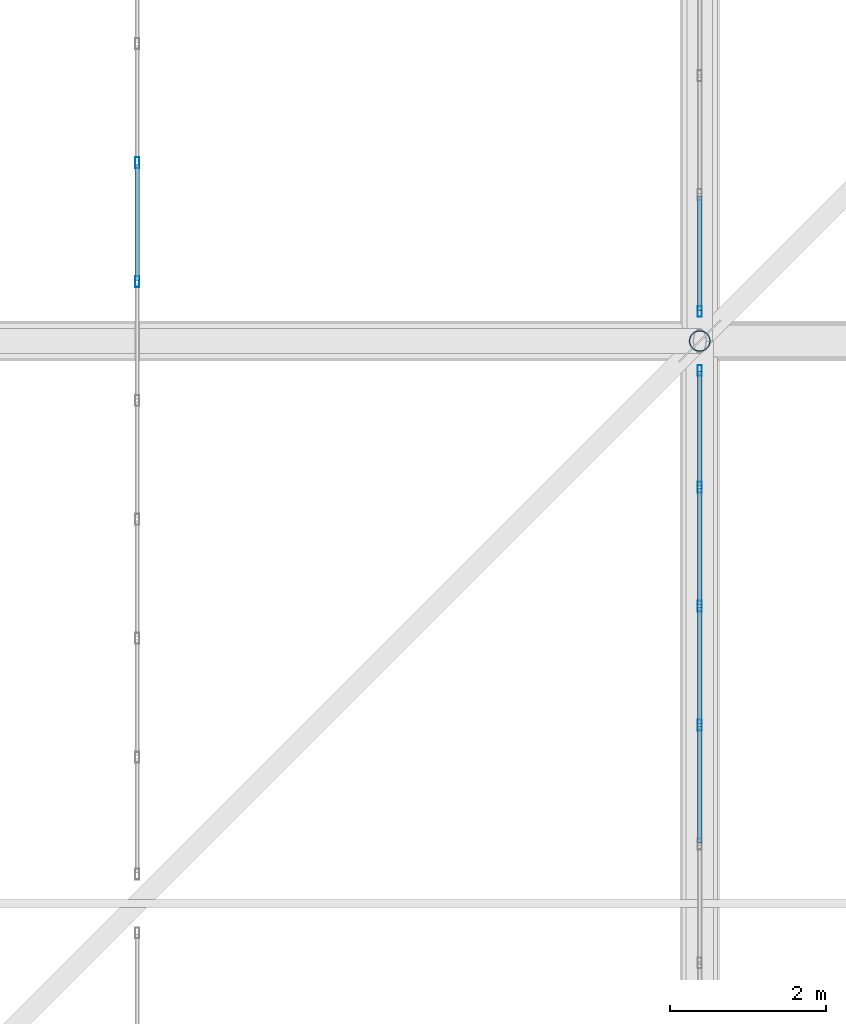
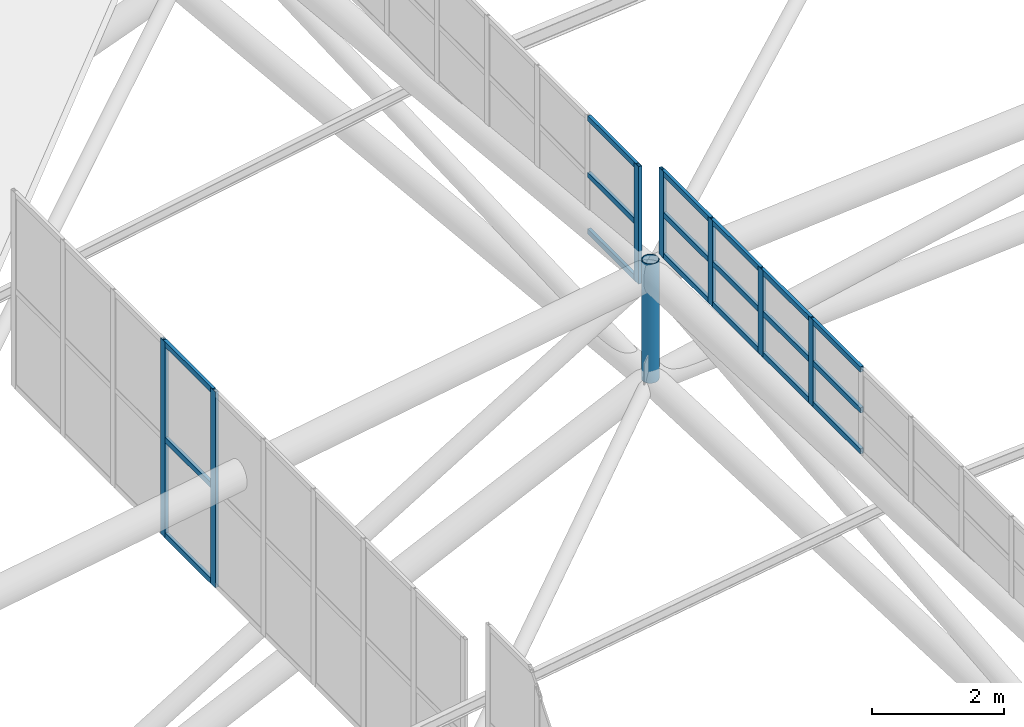
# One storey, part 198 of 397: 26 members, 3 elements without a shape of their own.
"""IFC4 building model written with IfcOpenShell, lengths in metres."""

from ifc_helpers import new_model, si_unit, direction, frame, origin, origin_2d, place, context, subcontext, project, spatial, hollow_rectangle, hollow_circle, extrude, material, material_profile, profile_set, type_object, element, aggregate, save


model = new_model("IFC4")

# Units and contexts
model_context = context("Model", 3, precision=1e-05, world=origin(), true_north=direction((0.0, 1.0)))
body_context = subcontext(model_context, "Body", "Model", "MODEL_VIEW")
ifc_project = project(units=[si_unit("LENGTHUNIT", "METRE"), si_unit("AREAUNIT", "SQUARE_METRE"), si_unit("VOLUMEUNIT", "CUBIC_METRE"), si_unit("PLANEANGLEUNIT", "RADIAN"), si_unit("MASSUNIT", "GRAM", prefix="KILO")], contexts=[model_context])

# Site, building, storey
site_placement = place(None, origin())
site = spatial("IfcSite", under=ifc_project, at=site_placement, CompositionType="ELEMENT")
building_placement = place(site_placement, origin())
building = spatial("IfcBuilding", under=site, at=building_placement, Name="Qandorah Velis Arena", CompositionType="ELEMENT")
storey_placement = place(building_placement, frame((0.0, 0.0, 27.5)))
storey = spatial("IfcBuildingStorey", under=building, at=storey_placement, Name="RF", CompositionType="ELEMENT", Elevation=27.5)

# Curtain wall, members
ifc_material_1 = material(Name="Solar-control low-E double glazing", Category="glass")
curtain_wall_type_1 = type_object("IfcCurtainWallType", Name="ARC-CW-SYS11", PredefinedType="USERDEFINED", material=ifc_material_1)
curtain_wall_1_placement = place(storey_placement, origin())
curtain_wall_1 = element("IfcCurtainWall", 1, at=curtain_wall_1_placement, inside=storey, type_object=curtain_wall_type_1, Name="Unitised curtain wall MON-1-5", ObjectType="UNITISED CURTAIN WALL", PredefinedType="USERDEFINED")
ifc_material_2 = material(Name="Champagne-bronze anodized aluminium 6063-T6", Category="aluminium")
ifc_material_profile_1 = material_profile(ifc_material_2, hollow_rectangle(XDim=0.054931640625, YDim=0.139892578125, WallThickness=0.0029296875, at=origin_2d()), Name="ALU MULLION 55x140")
ifc_profile_set_1 = profile_set([ifc_material_profile_1], Name="Champagne-bronze anodized aluminium 6063-T6")
member_type_1 = type_object("IfcMemberType", Name="ARC-CWM-140", PredefinedType="MULLION", material=ifc_profile_set_1)
member_1_placement = place(storey_placement, frame((21.60009765625, 87.1611328125, 5.13427734375), z_axis=(0.0, 0.0, 1.0), x_axis=(-1.0, 0.0, 0.0)))
member_1 = element("IfcMember", 2, at=member_1_placement, type_object=member_type_1, Name="CW11 mullion 6", PredefinedType="MULLION", context=body_context, shape_type="SweptSolid", body=[
    extrude(hollow_rectangle(XDim=0.054931640625, YDim=0.139892578125, WallThickness=0.0029296875, at=origin_2d()), origin(), (0.0, 0.0, 1.0), 3.630126953125),
])
member_2_placement = place(storey_placement, frame((21.60009765625, 88.683349609375, 5.13427734375), z_axis=(0.0, 0.0, 1.0), x_axis=(-1.0, 0.0, 0.0)))
member_2 = element("IfcMember", 3, at=member_2_placement, type_object=member_type_1, Name="CW11 mullion 7", PredefinedType="MULLION", context=body_context, shape_type="SweptSolid", body=[
    extrude(hollow_rectangle(XDim=0.054931640625, YDim=0.139892578125, WallThickness=0.0029296875, at=origin_2d()), origin(), (0.0, 0.0, 1.0), 3.630126953125),
])

curtain_wall_type_2 = type_object("IfcCurtainWallType", Name="ARC-CW-SYS09", PredefinedType="USERDEFINED", material=ifc_material_1)
curtain_wall_2_placement = place(storey_placement, origin())
curtain_wall_2 = element("IfcCurtainWall", 4, at=curtain_wall_2_placement, inside=storey, type_object=curtain_wall_type_2, Name="Unitised curtain wall OCULUS-1-4", ObjectType="UNITISED CURTAIN WALL", PredefinedType="USERDEFINED")
member_3_placement = place(storey_placement, frame((28.800048828125, 81.4833984375, 9.41259765625), z_axis=(0.0, 0.0, 1.0), x_axis=(-1.0, 0.0, 0.0)))
member_3 = element("IfcMember", 5, at=member_3_placement, type_object=member_type_1, Name="CW09 mullion 7", PredefinedType="MULLION", context=body_context, shape_type="SweptSolid", body=[
    extrude(hollow_rectangle(XDim=0.054931640625, YDim=0.139892578125, WallThickness=0.0029296875, at=origin_2d()), origin(), (0.0, 0.0, 1.0), 1.602294921875),
])
member_4_placement = place(storey_placement, frame((28.800048828125, 83.005615234375, 9.41259765625), z_axis=(0.0, 0.0, 1.0), x_axis=(-1.0, 0.0, 0.0)))
member_4 = element("IfcMember", 6, at=member_4_placement, type_object=member_type_1, Name="CW09 mullion 8", PredefinedType="MULLION", context=body_context, shape_type="SweptSolid", body=[
    extrude(hollow_rectangle(XDim=0.054931640625, YDim=0.139892578125, WallThickness=0.0029296875, at=origin_2d()), origin(), (0.0, 0.0, 1.0), 1.602294921875),
])
member_5_placement = place(storey_placement, frame((28.800048828125, 84.52783203125, 9.41259765625), z_axis=(0.0, 0.0, 1.0), x_axis=(-1.0, 0.0, 0.0)))
member_5 = element("IfcMember", 7, at=member_5_placement, type_object=member_type_1, Name="CW09 mullion 9", PredefinedType="MULLION", context=body_context, shape_type="SweptSolid", body=[
    extrude(hollow_rectangle(XDim=0.054931640625, YDim=0.139892578125, WallThickness=0.0029296875, at=origin_2d()), origin(), (0.0, 0.0, 1.0), 1.602294921875),
])
member_6_placement = place(storey_placement, frame((28.800048828125, 86.0224609375, 9.41259765625), z_axis=(0.0, 0.0, 1.0), x_axis=(-1.0, 0.0, 0.0)))
member_6 = element("IfcMember", 8, at=member_6_placement, type_object=member_type_1, Name="CW09 mullion 10", PredefinedType="MULLION", context=body_context, shape_type="SweptSolid", body=[
    extrude(hollow_rectangle(XDim=0.054931640625, YDim=0.139892578125, WallThickness=0.0029296875, at=origin_2d()), origin(), (0.0, 0.0, 1.0), 1.602294921875),
])

# Curtain wall, member
curtain_wall_type_3 = type_object("IfcCurtainWallType", Name="ARC-CW-SYS10", PredefinedType="USERDEFINED", material=ifc_material_1)
curtain_wall_3_placement = place(storey_placement, origin())
curtain_wall_3 = element("IfcCurtainWall", 9, at=curtain_wall_3_placement, inside=storey, type_object=curtain_wall_type_3, Name="Unitised curtain wall OCULUS-1-5", ObjectType="UNITISED CURTAIN WALL", PredefinedType="USERDEFINED")
member_7_placement = place(storey_placement, frame((28.800048828125, 86.777587890625, 8.470947265625), z_axis=(0.0, 0.0, 1.0), x_axis=(-1.0, 0.0, 0.0)))
member_7 = element("IfcMember", 10, at=member_7_placement, type_object=member_type_1, Name="CW10 mullion 1", PredefinedType="MULLION", context=body_context, shape_type="SweptSolid", body=[
    extrude(hollow_rectangle(XDim=0.054931640625, YDim=0.139892578125, WallThickness=0.0029296875, at=origin_2d()), origin(), (0.0, 0.0, 1.0), 2.179931640625),
])

# Member
ifc_material_profile_2 = material_profile(ifc_material_2, hollow_rectangle(XDim=0.054931640625, YDim=0.10009765625, WallThickness=0.0029296875, at=origin_2d()), Name="ALU TRANSOM 55x100")
ifc_profile_set_2 = profile_set([ifc_material_profile_2], Name="Champagne-bronze anodized aluminium 6063-T6")
member_type_2 = type_object("IfcMemberType", Name="ARC-CWT-100", PredefinedType="USERDEFINED", material=ifc_profile_set_2)
member_8_placement = place(storey_placement, frame((21.60009765625, 87.176513671875, 5.1767578125), z_axis=(0.0, 1.0, 0.0), x_axis=(-1.0, 0.0, 0.0)))
member_8 = element("IfcMember", 11, at=member_8_placement, type_object=member_type_2, Name="CW11 transom 6.1", ObjectType="TRANSOM", PredefinedType="USERDEFINED", context=body_context, shape_type="SweptSolid", body=[
    extrude(hollow_rectangle(XDim=0.054931640625, YDim=0.10009765625, WallThickness=0.0029296875, at=origin_2d()), origin(), (0.0, 0.0, 1.0), 1.4912109375),
])

member_9_placement = place(storey_placement, frame((21.60009765625, 87.176513671875, 6.94921875), z_axis=(0.0, 1.0, 0.0), x_axis=(-1.0, 0.0, 0.0)))
member_9 = element("IfcMember", 12, at=member_9_placement, type_object=member_type_2, Name="CW11 transom 6.2", ObjectType="TRANSOM", PredefinedType="USERDEFINED", context=body_context, shape_type="SweptSolid", body=[
    extrude(hollow_rectangle(XDim=0.054931640625, YDim=0.10009765625, WallThickness=0.0029296875, at=origin_2d()), origin(), (0.0, 0.0, 1.0), 1.4912109375),
])

member_10_placement = place(storey_placement, frame((21.60009765625, 87.176513671875, 8.7216796875), z_axis=(0.0, 1.0, 0.0), x_axis=(-1.0, 0.0, 0.0)))
member_10 = element("IfcMember", 13, at=member_10_placement, type_object=member_type_2, Name="CW11 transom 6.3", ObjectType="TRANSOM", PredefinedType="USERDEFINED", context=body_context, shape_type="SweptSolid", body=[
    extrude(hollow_rectangle(XDim=0.054931640625, YDim=0.10009765625, WallThickness=0.0029296875, at=origin_2d()), origin(), (0.0, 0.0, 1.0), 1.4912109375),
])

aggregate(curtain_wall_1, [member_1, member_2, member_8, member_9, member_10])

member_11_placement = place(storey_placement, frame((28.800048828125, 79.9765625, 9.455078125), z_axis=(0.0, 1.0, 0.0), x_axis=(-1.0, 0.0, 0.0)))
member_11 = element("IfcMember", 14, at=member_11_placement, type_object=member_type_2, Name="CW09 transom 6.1", ObjectType="TRANSOM", PredefinedType="USERDEFINED", context=body_context, shape_type="SweptSolid", body=[
    extrude(hollow_rectangle(XDim=0.054931640625, YDim=0.10009765625, WallThickness=0.0029296875, at=origin_2d()), origin(), (0.0, 0.0, 1.0), 1.4912109375),
])

member_12_placement = place(storey_placement, frame((28.800048828125, 79.9765625, 10.2138671875), z_axis=(0.0, 1.0, 0.0), x_axis=(-1.0, 0.0, 0.0)))
member_12 = element("IfcMember", 15, at=member_12_placement, type_object=member_type_2, Name="CW09 transom 6.2", ObjectType="TRANSOM", PredefinedType="USERDEFINED", context=body_context, shape_type="SweptSolid", body=[
    extrude(hollow_rectangle(XDim=0.054931640625, YDim=0.10009765625, WallThickness=0.0029296875, at=origin_2d()), origin(), (0.0, 0.0, 1.0), 1.4912109375),
])

member_13_placement = place(storey_placement, frame((28.800048828125, 79.9765625, 10.972412109375), z_axis=(0.0, 1.0, 0.0), x_axis=(-1.0, 0.0, 0.0)))
member_13 = element("IfcMember", 16, at=member_13_placement, type_object=member_type_2, Name="CW09 transom 6.3", ObjectType="TRANSOM", PredefinedType="USERDEFINED", context=body_context, shape_type="SweptSolid", body=[
    extrude(hollow_rectangle(XDim=0.054931640625, YDim=0.10009765625, WallThickness=0.0029296875, at=origin_2d()), origin(), (0.0, 0.0, 1.0), 1.4912109375),
])

member_14_placement = place(storey_placement, frame((28.800048828125, 81.498779296875, 9.455078125), z_axis=(0.0, 1.0, 0.0), x_axis=(-1.0, 0.0, 0.0)))
member_14 = element("IfcMember", 17, at=member_14_placement, type_object=member_type_2, Name="CW09 transom 7.1", ObjectType="TRANSOM", PredefinedType="USERDEFINED", context=body_context, shape_type="SweptSolid", body=[
    extrude(hollow_rectangle(XDim=0.054931640625, YDim=0.10009765625, WallThickness=0.0029296875, at=origin_2d()), origin(), (0.0, 0.0, 1.0), 1.4912109375),
])

member_15_placement = place(storey_placement, frame((28.800048828125, 81.498779296875, 10.2138671875), z_axis=(0.0, 1.0, 0.0), x_axis=(-1.0, 0.0, 0.0)))
member_15 = element("IfcMember", 18, at=member_15_placement, type_object=member_type_2, Name="CW09 transom 7.2", ObjectType="TRANSOM", PredefinedType="USERDEFINED", context=body_context, shape_type="SweptSolid", body=[
    extrude(hollow_rectangle(XDim=0.054931640625, YDim=0.10009765625, WallThickness=0.0029296875, at=origin_2d()), origin(), (0.0, 0.0, 1.0), 1.4912109375),
])

member_16_placement = place(storey_placement, frame((28.800048828125, 81.498779296875, 10.972412109375), z_axis=(0.0, 1.0, 0.0), x_axis=(-1.0, 0.0, 0.0)))
member_16 = element("IfcMember", 19, at=member_16_placement, type_object=member_type_2, Name="CW09 transom 7.3", ObjectType="TRANSOM", PredefinedType="USERDEFINED", context=body_context, shape_type="SweptSolid", body=[
    extrude(hollow_rectangle(XDim=0.054931640625, YDim=0.10009765625, WallThickness=0.0029296875, at=origin_2d()), origin(), (0.0, 0.0, 1.0), 1.4912109375),
])

member_17_placement = place(storey_placement, frame((28.800048828125, 83.02099609375, 9.455078125), z_axis=(0.0, 1.0, 0.0), x_axis=(-1.0, 0.0, 0.0)))
member_17 = element("IfcMember", 20, at=member_17_placement, type_object=member_type_2, Name="CW09 transom 8.1", ObjectType="TRANSOM", PredefinedType="USERDEFINED", context=body_context, shape_type="SweptSolid", body=[
    extrude(hollow_rectangle(XDim=0.054931640625, YDim=0.10009765625, WallThickness=0.0029296875, at=origin_2d()), origin(), (0.0, 0.0, 1.0), 1.4912109375),
])

member_18_placement = place(storey_placement, frame((28.800048828125, 83.02099609375, 10.2138671875), z_axis=(0.0, 1.0, 0.0), x_axis=(-1.0, 0.0, 0.0)))
member_18 = element("IfcMember", 21, at=member_18_placement, type_object=member_type_2, Name="CW09 transom 8.2", ObjectType="TRANSOM", PredefinedType="USERDEFINED", context=body_context, shape_type="SweptSolid", body=[
    extrude(hollow_rectangle(XDim=0.054931640625, YDim=0.10009765625, WallThickness=0.0029296875, at=origin_2d()), origin(), (0.0, 0.0, 1.0), 1.4912109375),
])

member_19_placement = place(storey_placement, frame((28.800048828125, 83.02099609375, 10.972412109375), z_axis=(0.0, 1.0, 0.0), x_axis=(-1.0, 0.0, 0.0)))
member_19 = element("IfcMember", 22, at=member_19_placement, type_object=member_type_2, Name="CW09 transom 8.3", ObjectType="TRANSOM", PredefinedType="USERDEFINED", context=body_context, shape_type="SweptSolid", body=[
    extrude(hollow_rectangle(XDim=0.054931640625, YDim=0.10009765625, WallThickness=0.0029296875, at=origin_2d()), origin(), (0.0, 0.0, 1.0), 1.4912109375),
])

member_20_placement = place(storey_placement, frame((28.800048828125, 84.543212890625, 9.455078125), z_axis=(0.0, 1.0, 0.0), x_axis=(-1.0, 0.0, 0.0)))
member_20 = element("IfcMember", 23, at=member_20_placement, type_object=member_type_2, Name="CW09 transom 9.1", ObjectType="TRANSOM", PredefinedType="USERDEFINED", context=body_context, shape_type="SweptSolid", body=[
    extrude(hollow_rectangle(XDim=0.054931640625, YDim=0.10009765625, WallThickness=0.0029296875, at=origin_2d()), origin(), (0.0, 0.0, 1.0), 1.4638671875),
])

member_21_placement = place(storey_placement, frame((28.800048828125, 84.543212890625, 10.2138671875), z_axis=(0.0, 1.0, 0.0), x_axis=(-1.0, 0.0, 0.0)))
member_21 = element("IfcMember", 24, at=member_21_placement, type_object=member_type_2, Name="CW09 transom 9.2", ObjectType="TRANSOM", PredefinedType="USERDEFINED", context=body_context, shape_type="SweptSolid", body=[
    extrude(hollow_rectangle(XDim=0.054931640625, YDim=0.10009765625, WallThickness=0.0029296875, at=origin_2d()), origin(), (0.0, 0.0, 1.0), 1.4638671875),
])

member_22_placement = place(storey_placement, frame((28.800048828125, 84.543212890625, 10.972412109375), z_axis=(0.0, 1.0, 0.0), x_axis=(-1.0, 0.0, 0.0)))
member_22 = element("IfcMember", 25, at=member_22_placement, type_object=member_type_2, Name="CW09 transom 9.3", ObjectType="TRANSOM", PredefinedType="USERDEFINED", context=body_context, shape_type="SweptSolid", body=[
    extrude(hollow_rectangle(XDim=0.054931640625, YDim=0.10009765625, WallThickness=0.0029296875, at=origin_2d()), origin(), (0.0, 0.0, 1.0), 1.4638671875),
])

aggregate(curtain_wall_2, [member_3, member_4, member_5, member_6, member_11, member_12, member_13, member_14, member_15, member_16, member_17, member_18, member_19, member_20, member_21, member_22])

member_23_placement = place(storey_placement, frame((28.800048828125, 86.79296875, 8.513427734375), z_axis=(0.0, 1.0, 0.0), x_axis=(-1.0, 0.0, 0.0)))
member_23 = element("IfcMember", 26, at=member_23_placement, type_object=member_type_2, Name="CW10 transom 1.1", ObjectType="TRANSOM", PredefinedType="USERDEFINED", context=body_context, shape_type="SweptSolid", body=[
    extrude(hollow_rectangle(XDim=0.054931640625, YDim=0.10009765625, WallThickness=0.0029296875, at=origin_2d()), origin(), (0.0, 0.0, 1.0), 1.463623046875),
])

member_24_placement = place(storey_placement, frame((28.800048828125, 86.79296875, 9.56103515625), z_axis=(0.0, 1.0, 0.0), x_axis=(-1.0, 0.0, 0.0)))
member_24 = element("IfcMember", 27, at=member_24_placement, type_object=member_type_2, Name="CW10 transom 1.2", ObjectType="TRANSOM", PredefinedType="USERDEFINED", context=body_context, shape_type="SweptSolid", body=[
    extrude(hollow_rectangle(XDim=0.054931640625, YDim=0.10009765625, WallThickness=0.0029296875, at=origin_2d()), origin(), (0.0, 0.0, 1.0), 1.463623046875),
])

member_25_placement = place(storey_placement, frame((28.800048828125, 86.79296875, 10.6083984375), z_axis=(0.0, 1.0, 0.0), x_axis=(-1.0, 0.0, 0.0)))
member_25 = element("IfcMember", 28, at=member_25_placement, type_object=member_type_2, Name="CW10 transom 1.3", ObjectType="TRANSOM", PredefinedType="USERDEFINED", context=body_context, shape_type="SweptSolid", body=[
    extrude(hollow_rectangle(XDim=0.054931640625, YDim=0.10009765625, WallThickness=0.0029296875, at=origin_2d()), origin(), (0.0, 0.0, 1.0), 1.463623046875),
])

aggregate(curtain_wall_3, [member_7, member_23, member_24, member_25])

ifc_material_3 = material(Name="Steel S355", Category="steel")
ifc_material_profile_3 = material_profile(ifc_material_3, hollow_circle(Radius=0.136474609375, WallThickness=0.012451171875, at=origin_2d()), Name="CHS 273x12.5")
ifc_profile_set_3 = profile_set([ifc_material_profile_3], Name="Steel S355")
member_type_3 = type_object("IfcMemberType", Name="STR-SFD-CHS273X12", PredefinedType="STRUT", material=ifc_profile_set_3)
member_26_placement = place(storey_placement, frame((28.800048828125, 86.39990234375, 6.90771484375), z_axis=(0.0, 0.0, 1.0), x_axis=(1.0, 0.0, 0.0)))
element("IfcMember", 29, at=member_26_placement, inside=storey, type_object=member_type_3, Name="Space frame roof vertical post 1.5", PredefinedType="STRUT", context=body_context, shape_type="SweptSolid", body=[
    extrude(hollow_circle(Radius=0.136474609375, WallThickness=0.012451171875, at=origin_2d()), origin(), (0.0, 0.0, 1.0), 2.2099609375),
])

save(model, "model.ifc")
